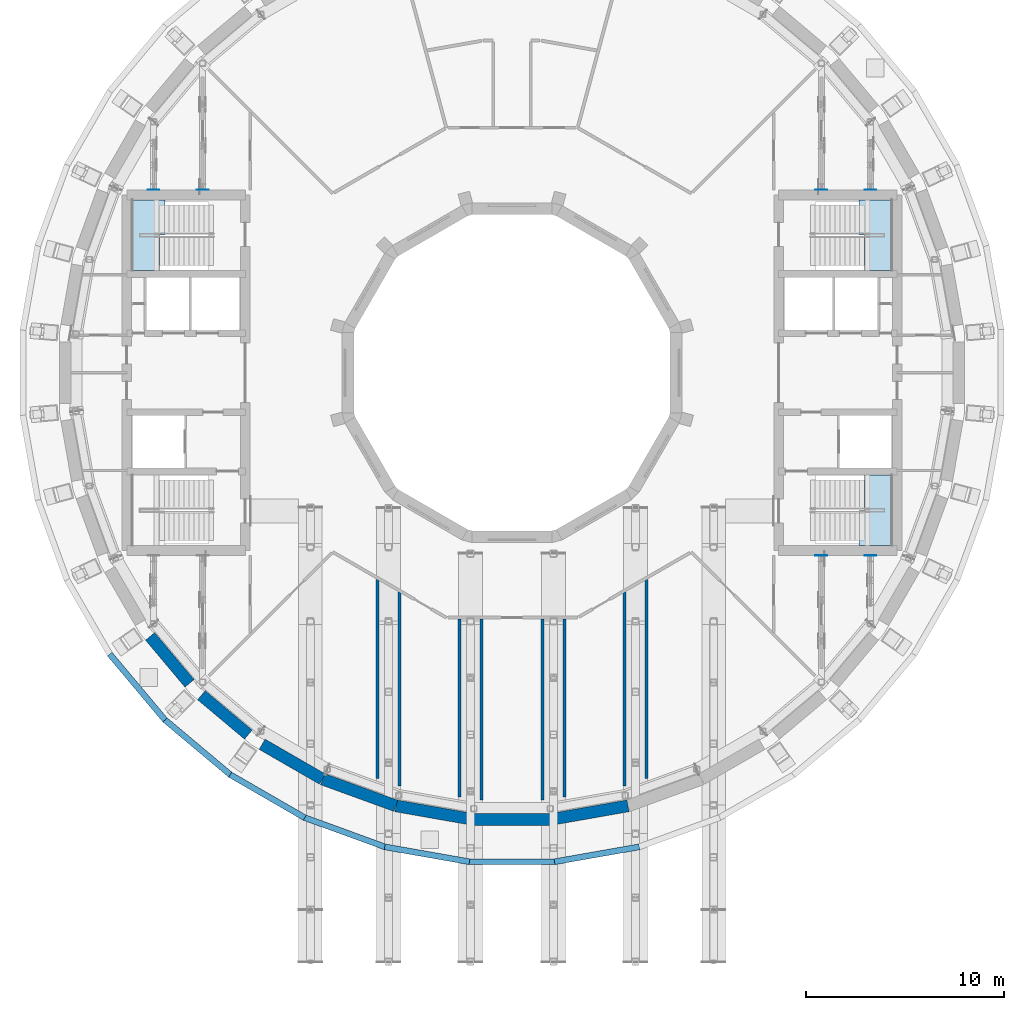
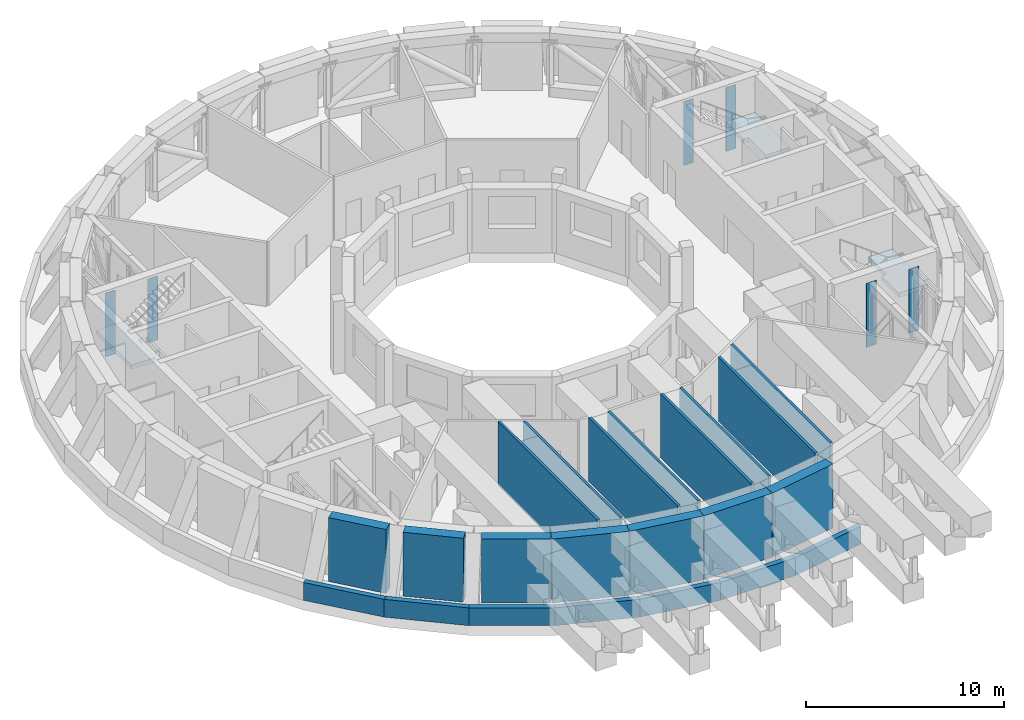
# One storey, part 10 of 20: 22 walls, 6 plates, 3 slabs, 3 elements without a shape of their own.
"""IFC4 building model written with IfcOpenShell, lengths in metres."""

from ifc_helpers import new_model, si_unit, direction, frame, frame_2d, origin, place, context, subcontext, project, spatial, polyline, rectangle, outline, extrude, material, layer, layer_set, type_object, element, aggregate, save


model = new_model("IFC4")

# Units and contexts
model_context = context("Model", 3, precision=1e-05, world=origin(), true_north=direction((0.0, 1.0)))
body_context = subcontext(model_context, "Body", "Model", "MODEL_VIEW")
ifc_project = project(units=[si_unit("LENGTHUNIT", "METRE"), si_unit("AREAUNIT", "SQUARE_METRE"), si_unit("VOLUMEUNIT", "CUBIC_METRE"), si_unit("PLANEANGLEUNIT", "RADIAN"), si_unit("MASSUNIT", "GRAM", prefix="KILO")], contexts=[model_context])

# Site, building, storey
site_placement = place(None, origin())
site = spatial("IfcSite", under=ifc_project, at=site_placement, CompositionType="ELEMENT")
building_placement = place(site_placement, origin())
building = spatial("IfcBuilding", under=site, at=building_placement, Name="Saqina Gate Tower", CompositionType="ELEMENT")
storey_placement = place(building_placement, frame((0.0, 0.0, 220.199951171875)))
storey = spatial("IfcBuildingStorey", under=building, at=storey_placement, Name="L63", CompositionType="ELEMENT", Elevation=220.199951171875)

# Stair, slab
ifc_material_1 = material(Name="Concrete C40/50", Category="concrete")
stair_type = type_object("IfcStairType", Name="EXIT STAIR", PredefinedType="HALF_TURN_STAIR", material=ifc_material_1)
stair_1_placement = place(storey_placement, origin())
stair_1 = element("IfcStair", 1, at=stair_1_placement, inside=storey, type_object=stair_type, Name="EXIT STAIR 1", PredefinedType="HALF_TURN_STAIR")
ifc_material_2 = material(Name="Concrete C40/50", Category="concrete")
ifc_layer_1 = layer(ifc_material_2, 0.25)
ifc_layer_set_1 = layer_set([ifc_layer_1], Name="Concrete C40/50")
slab_type = type_object("IfcSlabType", Name="EXIT STAIR LANDING", PredefinedType="LANDING", material=ifc_layer_set_1)
slab_1_placement = place(storey_placement, frame((0.0, 0.0, 2.0)))
slab_1 = element("IfcSlab", 2, at=slab_1_placement, type_object=slab_type, Name="EXIT STAIR 1 LANDING 1", PredefinedType="LANDING", context=body_context, shape_type="SweptSolid", body=[
    extrude(outline(polyline([(19.25, 8.75), (19.25, 5.175048828125), (17.844970703125, 5.175048828125), (17.844970703125, 6.96240234375), (17.56005859375, 6.96240234375), (17.56005859375, 8.75), (17.844970703125, 8.75), (17.85009765625, 8.75), (19.25, 8.75)])), origin(), (0.0, 0.0, 1.0), 0.25),
])
aggregate(stair_1, [slab_1])

stair_2_placement = place(storey_placement, origin())
stair_2 = element("IfcStair", 3, at=stair_2_placement, inside=storey, type_object=stair_type, Name="EXIT STAIR 2", PredefinedType="HALF_TURN_STAIR")
slab_2_placement = place(storey_placement, frame((0.0, 0.0, 2.0)))
slab_2 = element("IfcSlab", 4, at=slab_2_placement, type_object=slab_type, Name="EXIT STAIR 2 LANDING 1", PredefinedType="LANDING", context=body_context, shape_type="SweptSolid", body=[
    extrude(outline(polyline([(17.56005859375, -8.75), (17.56005859375, -6.96240234375), (17.844970703125, -6.96240234375), (17.844970703125, -5.175048828125), (19.25, -5.175048828125), (19.25, -8.75), (17.85009765625, -8.75), (17.844970703125, -8.75), (17.56005859375, -8.75)])), origin(), (0.0, 0.0, 1.0), 0.25),
])
aggregate(stair_2, [slab_2])

stair_3_placement = place(storey_placement, origin())
stair_3 = element("IfcStair", 5, at=stair_3_placement, inside=storey, type_object=stair_type, Name="EXIT STAIR 3", PredefinedType="HALF_TURN_STAIR")
slab_3_placement = place(storey_placement, frame((0.0, 0.0, 2.0)))
slab_3 = element("IfcSlab", 6, at=slab_3_placement, type_object=slab_type, Name="EXIT STAIR 3 LANDING 1", PredefinedType="LANDING", context=body_context, shape_type="SweptSolid", body=[
    extrude(outline(polyline([(-17.844970703125, 5.175048828125), (-19.25, 5.175048828125), (-19.25, 8.75), (-17.85009765625, 8.75), (-17.844970703125, 8.75), (-17.56005859375, 8.75), (-17.56005859375, 6.96240234375), (-17.844970703125, 6.96240234375), (-17.844970703125, 5.175048828125)])), origin(), (0.0, 0.0, 1.0), 0.25),
])
aggregate(stair_3, [slab_3])

# Plates
ifc_material_3 = material(Name="Steel S460", Category="steel")
ifc_layer_2 = layer(ifc_material_3, 0.01806640625)
ifc_layer_set_2 = layer_set([ifc_layer_2], Name="Steel S460")
plate_type = type_object("IfcPlateType", Name="STR-EMBED PLATE", PredefinedType="USERDEFINED", material=ifc_layer_set_2)
plate_1_placement = place(storey_placement, origin())
element("IfcPlate", 7, at=plate_1_placement, inside=storey, type_object=plate_type, Name="EMBED PLATE L63 01", ObjectType="EMBED PLATE", PredefinedType="USERDEFINED", context=body_context, shape_type="SweptSolid", body=[
    extrude(outline(polyline([(17.84423828125, 9.25), (18.4443359375, 9.25), (18.4443359375, 9.26806640625), (17.84423828125, 9.26806640625), (17.84423828125, 9.25)])), origin(), (0.0, 0.0, 1.0), 3.949951171875),
])
plate_2_placement = place(storey_placement, origin())
element("IfcPlate", 8, at=plate_2_placement, inside=storey, type_object=plate_type, Name="EMBED PLATE L63 02", ObjectType="EMBED PLATE", PredefinedType="USERDEFINED", context=body_context, shape_type="SweptSolid", body=[
    extrude(outline(polyline([(17.84423828125, -9.26806640625), (18.4443359375, -9.26806640625), (18.4443359375, -9.25), (17.84423828125, -9.25), (17.84423828125, -9.26806640625)])), origin(), (0.0, 0.0, 1.0), 3.949951171875),
])
plate_3_placement = place(storey_placement, origin())
element("IfcPlate", 9, at=plate_3_placement, inside=storey, type_object=plate_type, Name="EMBED PLATE L63 03", ObjectType="EMBED PLATE", PredefinedType="USERDEFINED", context=body_context, shape_type="SweptSolid", body=[
    extrude(outline(polyline([(-18.4443359375, 9.25), (-17.84423828125, 9.25), (-17.84423828125, 9.26806640625), (-18.4443359375, 9.26806640625), (-18.4443359375, 9.25)])), origin(), (0.0, 0.0, 1.0), 3.949951171875),
])
plate_4_placement = place(storey_placement, origin())
element("IfcPlate", 10, at=plate_4_placement, inside=storey, type_object=plate_type, Name="EMBED PLATE L63 05", ObjectType="EMBED PLATE", PredefinedType="USERDEFINED", context=body_context, shape_type="SweptSolid", body=[
    extrude(outline(polyline([(15.3623046875, 9.25), (15.96240234375, 9.25), (15.96240234375, 9.26806640625), (15.3623046875, 9.26806640625), (15.3623046875, 9.25)])), origin(), (0.0, 0.0, 1.0), 3.949951171875),
])
plate_5_placement = place(storey_placement, origin())
element("IfcPlate", 11, at=plate_5_placement, inside=storey, type_object=plate_type, Name="EMBED PLATE L63 06", ObjectType="EMBED PLATE", PredefinedType="USERDEFINED", context=body_context, shape_type="SweptSolid", body=[
    extrude(outline(polyline([(15.3623046875, -9.26806640625), (15.96240234375, -9.26806640625), (15.96240234375, -9.25), (15.3623046875, -9.25), (15.3623046875, -9.26806640625)])), origin(), (0.0, 0.0, 1.0), 3.949951171875),
])
plate_6_placement = place(storey_placement, origin())
element("IfcPlate", 12, at=plate_6_placement, inside=storey, type_object=plate_type, Name="EMBED PLATE L63 07", ObjectType="EMBED PLATE", PredefinedType="USERDEFINED", context=body_context, shape_type="SweptSolid", body=[
    extrude(outline(polyline([(-15.96240234375, 9.25), (-15.3623046875, 9.25), (-15.3623046875, 9.26806640625), (-15.96240234375, 9.26806640625), (-15.96240234375, 9.25)])), origin(), (0.0, 0.0, 1.0), 3.949951171875),
])

# Walls
ifc_material_4 = material(Name="Brick masonry (buff)", Category="masonry")
ifc_layer_3 = layer(ifc_material_4, 0.60009765625)
ifc_layer_set_3 = layer_set([ifc_layer_3], Name="FW-BRICK-BUFF")
wall_type_1 = type_object("IfcWallType", Name="FW-BRICK-BUFF", PredefinedType="SOLIDWALL", material=ifc_layer_set_3)
for number, where, z_axis, x_axis, name in (
    (13, (-18.31884765625, -13.34716796875, 0.0), (0.0, 0.0, 1.0), (0.642774743319, -0.766055239099, 0.0), "Facade wall L63 facet 22"),
    (14, (-15.722900390625, -16.325439453125, 0.0), (0.0, 0.0, 1.0), (0.766055239099, -0.642774743319, 0.0), "Facade wall L63 facet 23"),
):
    element("IfcWall", number, at=place(storey_placement, frame(where, z_axis=z_axis, x_axis=x_axis)), inside=storey, type_object=wall_type_1, Name=name, PredefinedType="SOLIDWALL", context=body_context, shape_type="SweptSolid", body=[
        extrude(rectangle(XDim=3.101318359375, YDim=0.60009765625, at=frame_2d((1.55078125, 0.0))), origin(), (0.0, 0.0, 1.0), 3.949951171875),
    ])
wall_1_placement = place(storey_placement, frame((-12.649169921875, -18.8076171875, 0.0), z_axis=(0.0, 0.0, 1.0), x_axis=(0.86601836006, -0.500012199891, 0.0)))
element("IfcWall", 15, at=wall_1_placement, inside=storey, type_object=wall_type_1, Name="Facade wall L63 facet 24", PredefinedType="SOLIDWALL", context=body_context, shape_type="SweptSolid", body=[
    extrude(rectangle(XDim=3.525390625, YDim=0.60009765625, at=frame_2d((1.7626953125, 0.0))), origin(), (0.0, 0.0, 1.0), 3.949951171875),
])
wall_2_placement = place(storey_placement, frame((-9.58935546875, -20.573486328125, 0.0), z_axis=(0.0, 0.0, 1.0), x_axis=(0.939699526391, -0.342001169736, 0.0)))
element("IfcWall", 16, at=wall_2_placement, inside=storey, type_object=wall_type_1, Name="Facade wall L63 facet 25", PredefinedType="SOLIDWALL", context=body_context, shape_type="SweptSolid", body=[
    extrude(rectangle(XDim=3.948974609375, YDim=0.60009765625, at=frame_2d((1.974609375, 0.0))), origin(), (0.0, 0.0, 1.0), 3.949951171875),
])
for number, where, z_axis, x_axis, name in (
    (17, (-5.87109375, -21.926025390625, 0.0), (0.0, 0.0, 1.0), (0.984806577412, -0.173654844693, 0.0), "Facade wall L63 facet 26"),
    (18, (-1.974609375, -22.612548828125, 0.0), (0.0, 0.0, 1.0), (1.0, 0.0, 0.0), "Facade wall L63 facet 27"),
    (19, (1.98193359375, -22.61181640625, 0.0), (0.0, 0.0, 1.0), (0.984806577412, 0.173654844693, 0.0), "Facade wall L63 facet 28"),
):
    element("IfcWall", number, at=place(storey_placement, frame(where, z_axis=z_axis, x_axis=x_axis)), inside=storey, type_object=wall_type_1, Name=name, PredefinedType="SOLIDWALL", context=body_context, shape_type="SweptSolid", body=[
        extrude(rectangle(XDim=3.94921875, YDim=0.60009765625, at=frame_2d((1.974609375, 0.0))), origin(), (0.0, 0.0, 1.0), 3.949951171875),
    ])
ifc_material_5 = material(Name="Brick masonry (buff)", Category="masonry")
ifc_layer_4 = layer(ifc_material_5, 0.300048828125)
ifc_layer_set_4 = layer_set([ifc_layer_4], Name="PA-ROOF")
wall_type_2 = type_object("IfcWallType", Name="PA-ROOF", PredefinedType="PARAPET", material=ifc_layer_set_4)
for number, where, z_axis, x_axis, name in (
    (20, (-20.364013671875, -14.242919921875, 0.0), (0.0, 0.0, 1.0), (0.642792594925, -0.76604025998, 0.0), "Parapet L63 edge 22"),
    (21, (-17.581298828125, -17.562744140625, 0.0), (0.0, 0.0, 1.0), (0.76604025998, -0.642792594925, 0.0), "Parapet L63 edge 23"),
    (22, (-14.264404296875, -20.348876953125, 0.0), (0.0, 0.0, 1.0), (0.866017651966, -0.500013426303, 0.0), "Parapet L63 edge 24"),
):
    element("IfcWall", number, at=place(storey_placement, frame(where, z_axis=z_axis, x_axis=x_axis)), inside=storey, type_object=wall_type_2, Name=name, PredefinedType="PARAPET", context=body_context, shape_type="SweptSolid", body=[
        extrude(rectangle(XDim=4.35791015625, YDim=0.300048828125, at=frame_2d((2.178955078125, 0.0))), origin(), (0.0, 0.0, 1.0), 1.10009765625),
    ])
for number, where, z_axis, x_axis, name in (
    (23, (-10.51416015625, -22.5166015625, 0.0), (0.0, 0.0, 1.0), (0.93969032934, -0.342026438957, 0.0), "Parapet L63 edge 25"),
    (24, (-6.4443359375, -24.00048828125, 0.0), (0.0, 0.0, 1.0), (0.984812309984, -0.173622331815, 0.0), "Parapet L63 edge 26"),
):
    element("IfcWall", number, at=place(storey_placement, frame(where, z_axis=z_axis, x_axis=x_axis)), inside=storey, type_object=wall_type_2, Name=name, PredefinedType="PARAPET", context=body_context, shape_type="SweptSolid", body=[
        extrude(rectangle(XDim=4.357666015625, YDim=0.300048828125, at=frame_2d((2.1787109375, 0.0))), origin(), (0.0, 0.0, 1.0), 1.10009765625),
    ])
wall_3_placement = place(storey_placement, frame((-2.178955078125, -24.7548828125, 0.0), z_axis=(0.0, 0.0, 1.0), x_axis=(1.0, 0.0, 0.0)))
element("IfcWall", 25, at=wall_3_placement, inside=storey, type_object=wall_type_2, Name="Parapet L63 edge 27", PredefinedType="PARAPET", context=body_context, shape_type="SweptSolid", body=[
    extrude(rectangle(XDim=4.35791015625, YDim=0.300048828125, at=frame_2d((2.178955078125, 0.0))), origin(), (0.0, 0.0, 1.0), 1.10009765625),
])
wall_4_placement = place(storey_placement, frame((2.15283203125, -24.757080078125, 0.0), z_axis=(0.0, 0.0, 1.0), x_axis=(0.984812309984, 0.173622331815, 0.0)))
element("IfcWall", 26, at=wall_4_placement, inside=storey, type_object=wall_type_2, Name="Parapet L63 edge 28", PredefinedType="PARAPET", context=body_context, shape_type="SweptSolid", body=[
    extrude(rectangle(XDim=4.357666015625, YDim=0.300048828125, at=frame_2d((2.1787109375, 0.0))), origin(), (0.0, 0.0, 1.0), 1.10009765625),
])
ifc_material_6 = material(Name="Masonry block and plaster, 150 mm, fire rated", Category="masonry")
ifc_layer_5 = layer(ifc_material_6, 0.14990234375)
ifc_layer_set_5 = layer_set([ifc_layer_5], Name="SPECIAL PARTITION EI 60 150")
wall_type_3 = type_object("IfcWallType", Name="SPECIAL PARTITION EI 60 150", PredefinedType="PARTITIONING", material=ifc_layer_set_5)
wall_5_placement = place(storey_placement, frame((6.800048828125, -20.530029296875, 0.0), z_axis=(0.0, 0.0, 1.0), x_axis=(0.0, 1.0, 0.0)))
element("IfcWall", 27, at=wall_5_placement, inside=storey, type_object=wall_type_3, Name="PARTITION 023", PredefinedType="PARTITIONING", context=body_context, shape_type="SweptSolid", body=[
    extrude(rectangle(XDim=10.06298828125, YDim=0.14990234375, at=frame_2d((5.031494140625, 0.0))), origin(), (0.0, 0.0, 1.0), 3.949951171875),
])
wall_6_placement = place(storey_placement, frame((5.699951171875, -20.929931640625, 0.0), z_axis=(0.0, 0.0, 1.0), x_axis=(0.0, 1.0, 0.0)))
element("IfcWall", 28, at=wall_6_placement, inside=storey, type_object=wall_type_3, Name="PARTITION 024", PredefinedType="PARTITIONING", context=body_context, shape_type="SweptSolid", body=[
    extrude(rectangle(XDim=9.82763671875, YDim=0.14990234375, at=frame_2d((4.913818359375, 0.0))), origin(), (0.0, 0.0, 1.0), 3.949951171875),
])
wall_7_placement = place(storey_placement, frame((2.64990234375, -21.48291015625, 0.0), z_axis=(0.0, 0.0, 1.0), x_axis=(0.0, 1.0, 0.0)))
element("IfcWall", 29, at=wall_7_placement, inside=storey, type_object=wall_type_3, Name="PARTITION 025", PredefinedType="PARTITIONING", context=body_context, shape_type="SweptSolid", body=[
    extrude(rectangle(XDim=9.0078125, YDim=0.14990234375, at=frame_2d((4.50390625, 0.0))), origin(), (0.0, 0.0, 1.0), 3.949951171875),
])
for number, where, z_axis, x_axis, name in (
    (30, (1.550048828125, -21.616943359375, 0.0), (0.0, 0.0, 1.0), (0.0, 1.0, 0.0), "PARTITION 026"),
    (31, (-1.550048828125, -21.616943359375, 0.0), (0.0, 0.0, 1.0), (0.0, 1.0, 0.0), "PARTITION 029"),
):
    element("IfcWall", number, at=place(storey_placement, frame(where, z_axis=z_axis, x_axis=x_axis)), inside=storey, type_object=wall_type_3, Name=name, PredefinedType="PARTITIONING", context=body_context, shape_type="SweptSolid", body=[
        extrude(rectangle(XDim=9.141845703125, YDim=0.14990234375, at=frame_2d((4.57080078125, 0.0))), origin(), (0.0, 0.0, 1.0), 3.949951171875),
    ])
wall_8_placement = place(storey_placement, frame((-2.64990234375, -21.48291015625, 0.0), z_axis=(0.0, 0.0, 1.0), x_axis=(0.0, 1.0, 0.0)))
element("IfcWall", 32, at=wall_8_placement, inside=storey, type_object=wall_type_3, Name="PARTITION 030", PredefinedType="PARTITIONING", context=body_context, shape_type="SweptSolid", body=[
    extrude(rectangle(XDim=9.0078125, YDim=0.14990234375, at=frame_2d((4.50390625, 0.0))), origin(), (0.0, 0.0, 1.0), 3.949951171875),
])
wall_9_placement = place(storey_placement, frame((-5.699951171875, -20.929931640625, 0.0), z_axis=(0.0, 0.0, 1.0), x_axis=(0.0, 1.0, 0.0)))
element("IfcWall", 33, at=wall_9_placement, inside=storey, type_object=wall_type_3, Name="PARTITION 031", PredefinedType="PARTITIONING", context=body_context, shape_type="SweptSolid", body=[
    extrude(rectangle(XDim=9.82763671875, YDim=0.14990234375, at=frame_2d((4.913818359375, 0.0))), origin(), (0.0, 0.0, 1.0), 3.949951171875),
])
wall_10_placement = place(storey_placement, frame((-6.800048828125, -20.530029296875, 0.0), z_axis=(0.0, 0.0, 1.0), x_axis=(0.0, 1.0, 0.0)))
element("IfcWall", 34, at=wall_10_placement, inside=storey, type_object=wall_type_3, Name="PARTITION 032", PredefinedType="PARTITIONING", context=body_context, shape_type="SweptSolid", body=[
    extrude(rectangle(XDim=10.06298828125, YDim=0.14990234375, at=frame_2d((5.031494140625, 0.0))), origin(), (0.0, 0.0, 1.0), 3.949951171875),
])

save(model, "model.ifc")
